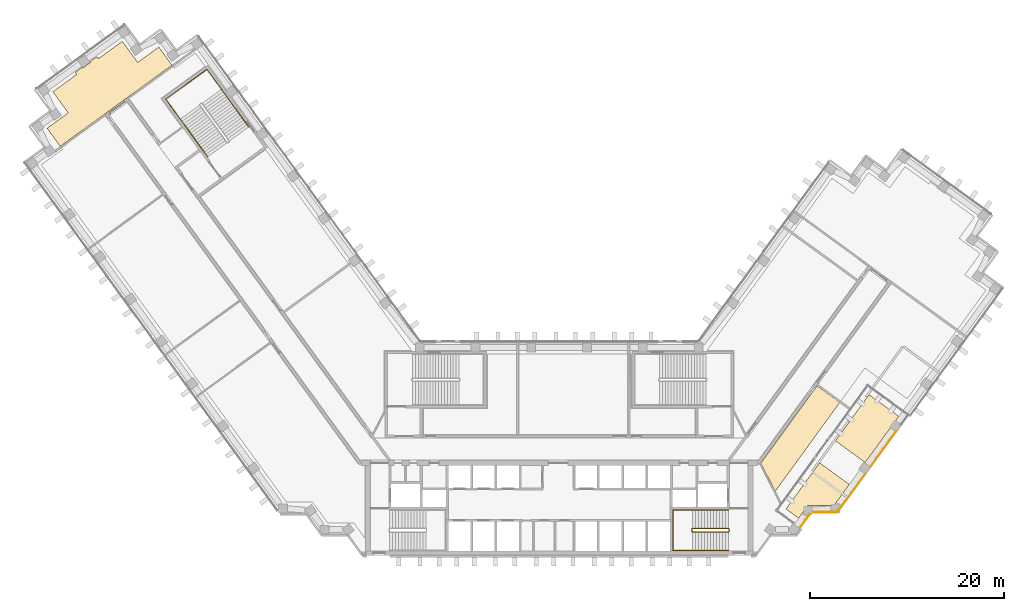
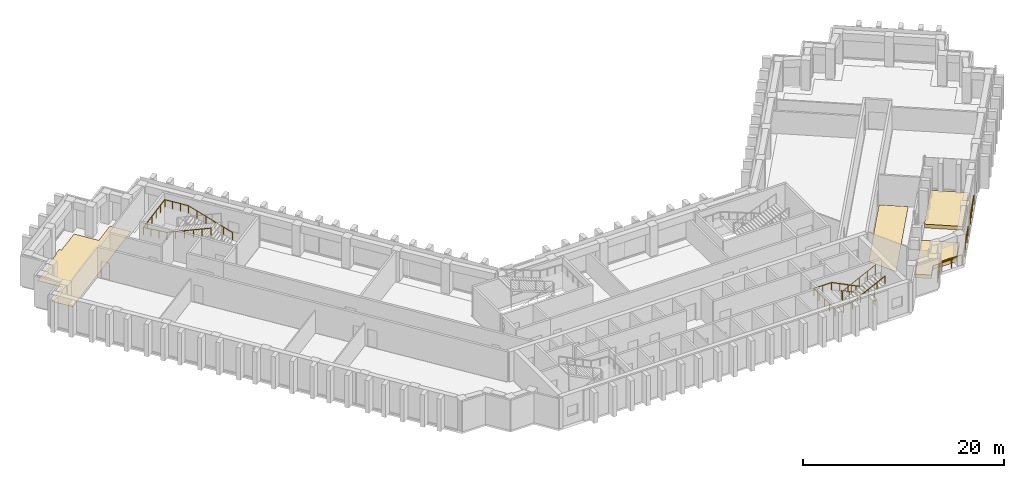
# One storey, part 13 of 14: 7 railings, 4 coverings.
"""IFC4 building model written with IfcOpenShell, lengths in metres."""

import ifcopenshell
import ifcopenshell.guid

model = None  # the IFC model being written
_history = None  # IfcOwnerHistory: only IFC2X3 demands one
_inside = {}  # id of a spatial element -> (the spatial element, [elements in it])
_under = {}  # id of a project, library or spatial element -> (it, [spatial elements below it])
_declared = {}  # id of a project -> (the project, [libraries it declares])
_typed = {}  # id of a type object -> (the type object, [elements of that type])
_made_of = {}  # id of a material, layer set ... -> (it, [elements and type objects made of it])


def new_model(schema):
    """Start an empty IFC model of exactly this schema.

    Asked for "IFC4X3", IfcOpenShell would pick the latest addendum, in which some entities
    have other attributes; the version numbers below select the first issue.
    IFC2X3 requires an IfcOwnerHistory on every rooted entity: one is made here for all.
    """
    global model, _history
    if schema == "IFC4X3":
        model = ifcopenshell.file(schema_version=(4, 3, 0, 0))
    else:
        model = ifcopenshell.file(schema=schema)
    _inside.clear()
    _under.clear()
    _declared.clear()
    _typed.clear()
    _made_of.clear()
    _history = None
    if model.schema == "IFC2X3":
        org = make("IfcOrganization", Name="unknown")
        user = make(
            "IfcPersonAndOrganization",
            ThePerson=make("IfcPerson", FamilyName="unknown"),
            TheOrganization=org,
        )
        app = make(
            "IfcApplication",
            ApplicationDeveloper=org,
            Version="unknown",
            ApplicationFullName="unknown",
            ApplicationIdentifier="unknown",
        )
        _history = make(
            "IfcOwnerHistory",
            OwningUser=user,
            OwningApplication=app,
            ChangeAction="ADDED",
            CreationDate=0,
        )
    return model


def make(cls, **values):
    """One entity of the class cls with the attributes given. An attribute that is None is left unset."""
    return model.create_entity(
        cls, **{name: value for name, value in values.items() if value is not None}
    )


def rooted(cls, **values):
    """An entity with a GlobalId (a new one), such as an element, a storey or a relation."""
    return make(cls, GlobalId=ifcopenshell.guid.new(), OwnerHistory=_history, **values)


def si_unit(unit_type, name, prefix=None):
    """IfcSIUnit, for example si_unit("LENGTHUNIT", "METRE", prefix="MILLI")."""
    return make("IfcSIUnit", UnitType=unit_type, Prefix=prefix, Name=name)


def assignment(units):
    """IfcUnitAssignment: the units of a project."""
    return None if units is None else make("IfcUnitAssignment", Units=units)


def point(xyz):
    """IfcCartesianPoint."""
    return None if xyz is None else make("IfcCartesianPoint", Coordinates=xyz)


def direction(xyz):
    """IfcDirection."""
    return None if xyz is None else make("IfcDirection", DirectionRatios=xyz)


def frame(location, z_axis=None, x_axis=None):
    """IfcAxis2Placement3D, a coordinate frame: its origin and axes. An axis left out is left unset."""
    return make(
        "IfcAxis2Placement3D",
        Location=point(location),
        Axis=direction(z_axis),
        RefDirection=direction(x_axis),
    )


def frame_2d(location, x_axis=None):
    """IfcAxis2Placement2D, a coordinate frame in the plane: its origin and x axis."""
    return make(
        "IfcAxis2Placement2D", Location=point(location), RefDirection=direction(x_axis)
    )


def origin():
    """The frame at (0, 0, 0) with its axes left unset."""
    return frame((0.0, 0.0, 0.0))


def origin_2d():
    """The frame at (0, 0) in the plane with its x axis left unset."""
    return frame_2d((0.0, 0.0))


def place(relative_to, where):
    """IfcLocalPlacement: puts the frame where relative to a parent placement (None: the world)."""
    return make(
        "IfcLocalPlacement", PlacementRelTo=relative_to, RelativePlacement=where
    )


def context(
    kind, dimensions, precision=None, world=None, true_north=None, identifier=None
):
    """IfcGeometricRepresentationContext, for example the 3D "Model" context."""
    return make(
        "IfcGeometricRepresentationContext",
        ContextIdentifier=identifier,
        ContextType=kind,
        CoordinateSpaceDimension=dimensions,
        Precision=precision,
        WorldCoordinateSystem=world,
        TrueNorth=true_north,
    )


def subcontext(parent, identifier, kind, view, scale=None):
    """IfcGeometricRepresentationSubContext, for example "Body" below "Model"."""
    return make(
        "IfcGeometricRepresentationSubContext",
        ContextIdentifier=identifier,
        ContextType=kind,
        ParentContext=parent,
        TargetScale=scale,
        TargetView=view,
    )


def project(units=None, contexts=None):
    """IfcProject with its units and contexts."""
    return rooted(
        "IfcProject",
        Name="project",
        RepresentationContexts=contexts,
        UnitsInContext=assignment(units),
    )


def spatial(cls, under=None, at=None, **own):
    """A site, building, storey or space (cls), placed at a placement, below another one or the project."""
    s = rooted(cls, ObjectPlacement=at, **own)
    if under is not None:
        _under.setdefault(under.id(), (under, []))[1].append(s)
    return s


def polyline(points):
    """IfcPolyline through the points."""
    return make("IfcPolyline", Points=[point(p) for p in points])


def profile(cls, at=None, kind="AREA", **sizes):
    """A parametric profile (cls). Its sizes go by their IFC names, for example OverallWidth=200.0."""
    return make(cls, ProfileType=kind, Position=at, **sizes)


def circle(**sizes):
    """IfcCircleProfileDef."""
    return profile("IfcCircleProfileDef", **sizes)


def outline(outer, holes=None, kind="AREA"):
    """IfcArbitraryClosedProfileDef: a profile drawn as a closed curve; with holes, ...WithVoids."""
    if holes is None:
        return make("IfcArbitraryClosedProfileDef", ProfileType=kind, OuterCurve=outer)
    return make(
        "IfcArbitraryProfileDefWithVoids",
        ProfileType=kind,
        OuterCurve=outer,
        InnerCurves=holes,
    )


def extrude(swept, where, along, depth):
    """IfcExtrudedAreaSolid: the profile swept, set in the frame where, extruded along a direction by depth."""
    return make(
        "IfcExtrudedAreaSolid",
        SweptArea=swept,
        Position=where,
        ExtrudedDirection=direction(along),
        Depth=depth,
    )


def shape(context_of_items, identifier, shape_type, items):
    """IfcShapeRepresentation: the items that make up one representation, for example the "Body"."""
    return make(
        "IfcShapeRepresentation",
        ContextOfItems=context_of_items,
        RepresentationIdentifier=identifier,
        RepresentationType=shape_type,
        Items=items,
    )


def material(Name=None, Category=None):
    """IfcMaterial."""
    return make("IfcMaterial", Name=Name, Category=Category)


def layer(
    of_material, thickness, ventilated=None, Name=None, Category=None, Priority=None
):
    """IfcMaterialLayer: one layer of a wall or slab, of a material (None: an air gap)."""
    return make(
        "IfcMaterialLayer",
        Material=of_material,
        LayerThickness=thickness,
        IsVentilated=ventilated,
        Name=Name,
        Category=Category,
        Priority=Priority,
    )


def layer_set(layers, Name=None):
    """IfcMaterialLayerSet."""
    return make("IfcMaterialLayerSet", MaterialLayers=layers, LayerSetName=Name)


def made_of(thing, what):
    """Note that an element or type object is made of a material, layer set ...; save() writes the relation."""
    if what is not None:
        _made_of.setdefault(what.id(), (what, []))[1].append(thing)
    return thing


def type_object(cls, material=None, **own):
    """A type object (cls), such as IfcWallType, which elements share."""
    return made_of(rooted(cls, **own), material)


def element(
    cls,
    number,
    at=None,
    inside=None,
    cuts=None,
    type_object=None,
    material=None,
    context=None,
    identifier="Body",
    shape_type=None,
    held_by="IfcProductDefinitionShape",
    body=None,
    shapes=None,
    **own,
):
    """One element of the class cls, such as IfcWall. Its Tag is "e" and its number.

    at: its placement. inside: the storey or other place that contains it. cuts: it is an
    opening in that element (IfcRelVoidsElement). A single representation is given by context,
    identifier, shape_type and body (its items); several are given by shapes. held_by: the class
    of the entity that holds the representations. save() writes the other relations.
    """
    e = rooted(cls, Tag="e%d" % number, ObjectPlacement=at, **own)
    if body is not None:
        shapes = [shape(context, identifier, shape_type, body)]
    if shapes is not None:
        e.Representation = make(held_by, Representations=shapes)
    if inside is not None:
        _inside.setdefault(inside.id(), (inside, []))[1].append(e)
    if cuts is not None:
        rooted(
            "IfcRelVoidsElement", RelatingBuildingElement=cuts, RelatedOpeningElement=e
        )
    if type_object is not None:
        _typed.setdefault(type_object.id(), (type_object, []))[1].append(e)
    return made_of(e, material)


def aggregate(whole, parts):
    """IfcRelAggregates: a whole, such as a stair, and the parts it consists of."""
    return rooted("IfcRelAggregates", RelatingObject=whole, RelatedObjects=parts)


def save(model, path):
    """Write the relations noted so far, then the file.

    IfcRelAggregates (storeys below a building ...), IfcRelContainedInSpatialStructure (elements
    in a storey), IfcRelDefinesByType, IfcRelAssociatesMaterial and IfcRelDeclares: one each for
    every whole, place, type object, material and project.
    """
    for whole, parts in _under.values():
        aggregate(whole, parts)
    for where, things in _inside.values():
        rooted(
            "IfcRelContainedInSpatialStructure",
            RelatedElements=things,
            RelatingStructure=where,
        )
    for kind, things in _typed.values():
        rooted("IfcRelDefinesByType", RelatedObjects=things, RelatingType=kind)
    for what, things in _made_of.values():
        rooted("IfcRelAssociatesMaterial", RelatedObjects=things, RelatingMaterial=what)
    for by, libraries in _declared.values():
        rooted("IfcRelDeclares", RelatingContext=by, RelatedDefinitions=libraries)
    model.write(path)


model = new_model("IFC4")

# Units and contexts
model_context = context("Model", 3, precision=1e-05, world=origin(), true_north=direction((0.0, 1.0)))
body_context = subcontext(model_context, "Body", "Model", "MODEL_VIEW")
ifc_project = project(units=[si_unit("LENGTHUNIT", "METRE"), si_unit("AREAUNIT", "SQUARE_METRE"), si_unit("VOLUMEUNIT", "CUBIC_METRE"), si_unit("PLANEANGLEUNIT", "RADIAN"), si_unit("MASSUNIT", "GRAM", prefix="KILO")], contexts=[model_context])

# Site, building, storey
site_placement = place(None, origin())
site = spatial("IfcSite", under=ifc_project, at=site_placement, CompositionType="ELEMENT")
building_placement = place(site_placement, origin())
building = spatial("IfcBuilding", under=site, at=building_placement, Name="Quipu Civic Tower", CompositionType="ELEMENT")
storey_placement = place(building_placement, frame((0.0, 0.0, 105.0)))
storey = spatial("IfcBuildingStorey", under=building, at=storey_placement, Name="L24", CompositionType="ELEMENT", Elevation=105.0)

# Coverings
ifc_material_1 = material(Name="Carpet tile on raised access floor")
ifc_layer_1 = layer(ifc_material_1, 0.02001953125)
ifc_layer_set_1 = layer_set([ifc_layer_1], Name="Carpet tile on raised access floor")
covering_type_1 = type_object("IfcCoveringType", Name="Carpet tile floor finish 20", PredefinedType="FLOORING", material=ifc_layer_set_1)
covering_1_placement = place(storey_placement, origin())
element("IfcCovering", 1, at=covering_1_placement, inside=storey, type_object=covering_type_1, Name="Carpet tile floor finish 20", PredefinedType="FLOORING", context=body_context, shape_type="SweptSolid", body=[
    extrude(outline(polyline([(-52.883056640625, 33.12890625), (-50.698974609375, 34.717041015625), (-52.284912109375, 36.90087890625), (-49.826904296875, 38.68603515625), (-49.97900390625, 38.89697265625), (-49.259033203125, 39.4208984375), (-49.236083984375, 39.388916015625), (-49.23291015625, 39.385009765625), (-49.22900390625, 39.382080078125), (-49.22607421875, 39.3779296875), (-49.220947265625, 39.3759765625), (-49.217041015625, 39.373046875), (-49.212890625, 39.37109375), (-49.2080078125, 39.3701171875), (-49.202880859375, 39.368896484375), (-49.197998046875, 39.367919921875), (-49.193115234375, 39.367919921875), (-49.18896484375, 39.368896484375), (-49.18408203125, 39.3701171875), (-49.178955078125, 39.37109375), (-49.174072265625, 39.373046875), (-49.169921875, 39.375), (-49.166015625, 39.3779296875), (-48.43798828125, 39.906982421875), (-48.43408203125, 39.909912109375), (-48.430908203125, 39.9130859375), (-48.427001953125, 39.9169921875), (-48.425048828125, 39.9208984375), (-48.422119140625, 39.926025390625), (-48.419921875, 39.929931640625), (-48.4189453125, 39.93505859375), (-48.41796875, 39.93994140625), (-48.4169921875, 39.944091796875), (-48.4169921875, 39.948974609375), (-48.41796875, 39.9541015625), (-48.4189453125, 39.958984375), (-48.419921875, 39.964111328125), (-48.422119140625, 39.968017578125), (-48.424072265625, 39.972900390625), (-48.427001953125, 39.97705078125), (-48.449951171875, 40.008056640625), (-47.72900390625, 40.531982421875), (-47.574951171875, 40.322021484375), (-45.116943359375, 42.10791015625), (-43.531982421875, 39.925048828125), (-41.346923828125, 41.510986328125), (-39.989013671875, 39.64208984375), (-51.52587890625, 31.260009765625), (-52.883056640625, 33.12890625)])), origin(), (0.0, 0.0, 1.0), 0.02001953125),
])
covering_2_placement = place(storey_placement, origin())
element("IfcCovering", 2, at=covering_2_placement, inside=storey, type_object=covering_type_1, Name="Carpet tile floor finish 20", PredefinedType="FLOORING", context=body_context, shape_type="SweptSolid", body=[
    extrude(outline(polyline([(20.821044921875, -1.4560546875), (26.6220703125, 6.529052734375), (28.97705078125, 4.819091796875), (22.303955078125, -4.365966796875), (20.821044921875, -1.4560546875)])), origin(), (0.0, 0.0, 1.0), 0.02001953125),
])
ifc_material_2 = material(Name="Planting soil on drainage board")
ifc_layer_2 = layer(ifc_material_2, 0.449951171875)
ifc_layer_set_2 = layer_set([ifc_layer_2], Name="Planting soil on drainage board")
covering_type_2 = type_object("IfcCoveringType", Name="Planted terrace build-up", PredefinedType="FLOORING", material=ifc_layer_set_2)
covering_3_placement = place(storey_placement, origin())
element("IfcCovering", 3, at=covering_3_placement, inside=storey, type_object=covering_type_2, Name="Planted terrace L24 bed 1", PredefinedType="FLOORING", context=body_context, shape_type="SweptSolid", body=[
    extrude(outline(polyline([(26.882080078125, -1.415771484375), (29.956298828125, -3.6494140625), (28.37109375, -5.831298828125), (25.671142578125, -5.831298828125), (24.721435546875, -7.138427734375), (23.414306640625, -6.18896484375), (26.882080078125, -1.415771484375)])), origin(), (0.0, 0.0, 1.0), 0.449951171875),
])
covering_4_placement = place(storey_placement, origin())
element("IfcCovering", 4, at=covering_4_placement, inside=storey, type_object=covering_type_2, Name="Planted terrace L24 bed 2", PredefinedType="FLOORING", context=body_context, shape_type="SweptSolid", body=[
    extrude(outline(polyline([(31.99609375, 5.622802734375), (35.0703125, 3.38916015625), (31.602294921875, -1.38427734375), (28.528076171875, 0.849609375), (31.99609375, 5.622802734375)])), origin(), (0.0, 0.0, 1.0), 0.449951171875),
])

# Railings
ifc_material_3 = material(Name="Stainless steel", Category="steel")
railing_type_1 = type_object("IfcRailingType", Name="Stair guard 1100", PredefinedType="GUARDRAIL", material=ifc_material_3)
railing_1_placement = place(storey_placement, frame((17.5, -8.199951171875, 0.15380859375)))
element("IfcRailing", 5, at=railing_1_placement, inside=storey, type_object=railing_type_1, Name="Stair 2 guard", PredefinedType="GUARDRAIL", context=body_context, shape_type="SweptSolid", body=[
    extrude(circle(Radius=0.02392578125, at=origin_2d()), frame((0.0, 0.0, 1.076171875), z_axis=(-0.895751851347, 0.0, 0.444554407028), x_axis=(0.0, -1.0, 0.0)), (0.0, 0.0, 1.0), 4.15283203125),
    extrude(circle(Radius=0.02392578125, at=origin_2d()), frame((-3.719970703125, 0.0, 2.92236328125), z_axis=(-0.707106781187, -0.707106781187, 0.0), x_axis=(0.707106781187, -0.707106781187, 0.0)), (0.0, 0.0, 1.0), 0.07080078125),
    extrude(circle(Radius=0.02392578125, at=origin_2d()), frame((-3.77001953125, -0.050048828125, 2.92236328125), z_axis=(0.0, -1.0, 0.0), x_axis=(1.0, 0.0, 0.0)), (0.0, 0.0, 1.0), 0.25),
    extrude(circle(Radius=0.02392578125, at=origin_2d()), frame((-3.77001953125, -0.300048828125, 2.92236328125), z_axis=(0.295599637079, -0.295599637079, 0.908428152975), x_axis=(0.707106781187, 0.707106781187, 0.0)), (0.0, 0.0, 1.0), 0.16943359375),
    extrude(circle(Radius=0.02392578125, at=origin_2d()), frame((-3.719970703125, -0.35009765625, 3.076171875), z_axis=(0.895751851347, 0.0, 0.444554407028), x_axis=(0.0, 1.0, 0.0)), (0.0, 0.0, 1.0), 4.15283203125),
    extrude(circle(Radius=0.02392578125, at=origin_2d()), frame((0.0, -0.35009765625, 4.92236328125), z_axis=(0.012476181752, 0.074796231092, -0.997120789425), x_axis=(-0.986372223864, 0.164529134168, 0.0)), (0.0, 0.0, 1.0), 4.011474609375),
    extrude(circle(Radius=0.02392578125, at=origin_2d()), frame((0.050048828125, -0.050048828125, 0.92236328125), z_axis=(0.0, -1.0, 0.0), x_axis=(1.0, 0.0, 0.0)), (0.0, 0.0, 1.0), 0.25),
    extrude(circle(Radius=0.02099609375, at=origin_2d()), origin(), (0.0, 0.0, 1.0), 1.052001953125),
    extrude(circle(Radius=0.02099609375, at=origin_2d()), frame((-0.929931640625, 0.0, 0.46142578125)), (0.0, 0.0, 1.0), 1.052001953125),
    extrude(circle(Radius=0.02099609375, at=origin_2d()), frame((-1.85986328125, 0.0, 0.923095703125)), (0.0, 0.0, 1.0), 1.052001953125),
    extrude(circle(Radius=0.02099609375, at=origin_2d()), frame((-2.7900390625, 0.0, 1.384765625)), (0.0, 0.0, 1.0), 1.052001953125),
    extrude(circle(Radius=0.02099609375, at=origin_2d()), frame((-3.719970703125, 0.0, 1.84619140625)), (0.0, 0.0, 1.0), 1.052001953125),
    extrude(circle(Radius=0.02099609375, at=origin_2d()), frame((-3.77001953125, -0.050048828125, 1.84619140625)), (0.0, 0.0, 1.0), 1.052001953125),
    extrude(circle(Radius=0.02099609375, at=origin_2d()), frame((-3.77001953125, -0.300048828125, 1.84619140625)), (0.0, 0.0, 1.0), 1.052001953125),
    extrude(circle(Radius=0.02099609375, at=origin_2d()), frame((-3.719970703125, -0.35009765625, 2.0)), (0.0, 0.0, 1.0), 1.052001953125),
    extrude(circle(Radius=0.02099609375, at=origin_2d()), frame((-2.7900390625, -0.35009765625, 2.46142578125)), (0.0, 0.0, 1.0), 1.052001953125),
    extrude(circle(Radius=0.02099609375, at=origin_2d()), frame((-1.85986328125, -0.35009765625, 2.923095703125)), (0.0, 0.0, 1.0), 1.052001953125),
    extrude(circle(Radius=0.02099609375, at=origin_2d()), frame((-0.929931640625, -0.35009765625, 3.384765625)), (0.0, 0.0, 1.0), 1.052001953125),
    extrude(circle(Radius=0.02099609375, at=origin_2d()), frame((0.0, -0.35009765625, 3.84619140625)), (0.0, 0.0, 1.0), 1.052001953125),
    extrude(circle(Radius=0.02099609375, at=origin_2d()), frame((0.012451171875, -0.275146484375, 2.84619140625)), (0.0, 0.0, 1.0), 1.052001953125),
    extrude(circle(Radius=0.02099609375, at=origin_2d()), frame((0.02490234375, -0.2001953125, 1.84619140625)), (0.0, 0.0, 1.0), 1.052001953125),
    extrude(circle(Radius=0.02099609375, at=origin_2d()), frame((0.03759765625, -0.125, 0.84619140625)), (0.0, 0.0, 1.0), 1.052001953125),
    extrude(circle(Radius=0.02099609375, at=origin_2d()), frame((0.050048828125, -0.050048828125, -0.15380859375)), (0.0, 0.0, 1.0), 1.052001953125),
    extrude(circle(Radius=0.02099609375, at=origin_2d()), frame((0.050048828125, -0.300048828125, -0.15380859375)), (0.0, 0.0, 1.0), 1.052001953125),
])
ifc_material_4 = material(Name="Stainless steel", Category="steel")
railing_type_2 = type_object("IfcRailingType", Name="Stair handrail", PredefinedType="HANDRAIL", material=ifc_material_4)
railing_2_placement = place(storey_placement, frame((17.5, -6.300048828125, 0.15380859375)))
element("IfcRailing", 6, at=railing_2_placement, inside=storey, type_object=railing_type_2, Name="Stair 2 handrail", PredefinedType="HANDRAIL", context=body_context, shape_type="SweptSolid", body=[
    extrude(circle(Radius=0.02392578125, at=origin_2d()), frame((0.0, 0.0, 0.8759765625), z_axis=(-0.895751851347, 0.0, 0.444554407028), x_axis=(0.0, -1.0, 0.0)), (0.0, 0.0, 1.0), 4.15283203125),
    extrude(circle(Radius=0.02392578125, at=origin_2d()), frame((-3.719970703125, 0.0, 2.72216796875), z_axis=(-1.0, 0.0, 0.0), x_axis=(0.0, -1.0, 0.0)), (0.0, 0.0, 1.0), 2.030029296875),
    extrude(circle(Radius=0.02392578125, at=origin_2d()), frame((-5.75, 0.0, 2.72216796875), z_axis=(0.0, -1.0, 0.0), x_axis=(1.0, 0.0, 0.0)), (0.0, 0.0, 1.0), 4.14990234375),
    extrude(circle(Radius=0.02392578125, at=origin_2d()), frame((-5.75, -4.14990234375, 2.72216796875), z_axis=(0.997142003663, 0.0, 0.075550145798), x_axis=(0.0, 1.0, 0.0)), (0.0, 0.0, 1.0), 2.035888671875),
    extrude(circle(Radius=0.02392578125, at=origin_2d()), frame((-3.719970703125, -4.14990234375, 2.8759765625), z_axis=(0.895751851347, 0.0, 0.444554407028), x_axis=(0.0, 1.0, 0.0)), (0.0, 0.0, 1.0), 4.15283203125),
    extrude(circle(Radius=0.02099609375, at=origin_2d()), origin(), (0.0, 0.0, 1.0), 0.851806640625),
    extrude(circle(Radius=0.02099609375, at=origin_2d()), frame((-0.929931640625, 0.0, 0.46142578125)), (0.0, 0.0, 1.0), 0.851806640625),
    extrude(circle(Radius=0.02099609375, at=origin_2d()), frame((-1.85986328125, 0.0, 0.923095703125)), (0.0, 0.0, 1.0), 0.851806640625),
    extrude(circle(Radius=0.02099609375, at=origin_2d()), frame((-2.7900390625, 0.0, 1.384765625)), (0.0, 0.0, 1.0), 0.851806640625),
    extrude(circle(Radius=0.02099609375, at=origin_2d()), frame((-3.719970703125, 0.0, 1.84619140625)), (0.0, 0.0, 1.0), 0.851806640625),
    extrude(circle(Radius=0.02099609375, at=origin_2d()), frame((-4.73486328125, 0.0, 1.84619140625)), (0.0, 0.0, 1.0), 0.851806640625),
    extrude(circle(Radius=0.02099609375, at=origin_2d()), frame((-5.75, 0.0, 1.84619140625)), (0.0, 0.0, 1.0), 0.851806640625),
    extrude(circle(Radius=0.02099609375, at=origin_2d()), frame((-5.75, -1.03759765625, 1.84619140625)), (0.0, 0.0, 1.0), 0.851806640625),
    extrude(circle(Radius=0.02099609375, at=origin_2d()), frame((-5.75, -2.074951171875, 1.84619140625)), (0.0, 0.0, 1.0), 0.851806640625),
    extrude(circle(Radius=0.02099609375, at=origin_2d()), frame((-5.75, -3.1123046875, 1.84619140625)), (0.0, 0.0, 1.0), 0.851806640625),
    extrude(circle(Radius=0.02099609375, at=origin_2d()), frame((-5.75, -4.14990234375, 1.84619140625)), (0.0, 0.0, 1.0), 0.851806640625),
    extrude(circle(Radius=0.02099609375, at=origin_2d()), frame((-4.73486328125, -4.14990234375, 1.923095703125)), (0.0, 0.0, 1.0), 0.851806640625),
    extrude(circle(Radius=0.02099609375, at=origin_2d()), frame((-3.719970703125, -4.14990234375, 2.0)), (0.0, 0.0, 1.0), 0.851806640625),
    extrude(circle(Radius=0.02099609375, at=origin_2d()), frame((-2.7900390625, -4.14990234375, 2.46142578125)), (0.0, 0.0, 1.0), 0.851806640625),
    extrude(circle(Radius=0.02099609375, at=origin_2d()), frame((-1.85986328125, -4.14990234375, 2.923095703125)), (0.0, 0.0, 1.0), 0.851806640625),
    extrude(circle(Radius=0.02099609375, at=origin_2d()), frame((-0.929931640625, -4.14990234375, 3.384765625)), (0.0, 0.0, 1.0), 0.851806640625),
    extrude(circle(Radius=0.02099609375, at=origin_2d()), frame((0.0, -4.14990234375, 3.84619140625)), (0.0, 0.0, 1.0), 0.851806640625),
])
railing_3_placement = place(storey_placement, frame((-32.056396484375, 33.266845703125, 0.11767578125)))
element("IfcRailing", 7, at=railing_3_placement, inside=storey, type_object=railing_type_2, Name="Stair 6 handrail", PredefinedType="HANDRAIL", context=body_context, shape_type="SweptSolid", body=[
    extrude(circle(Radius=0.02392578125, at=origin_2d()), frame((0.0, 0.0, 0.8759765625), z_axis=(-0.54720100349, 0.753182689643, 0.365084781664), x_axis=(-0.809026317077, -0.587772420479, 0.0)), (0.0, 0.0, 1.0), 5.15576171875),
    extrude(circle(Radius=0.02392578125, at=origin_2d()), frame((-2.8212890625, 3.88330078125, 2.75830078125), z_axis=(-0.587767432704, 0.809029940764, 0.0), x_axis=(-0.809029940764, -0.587767432704, 0.0)), (0.0, 0.0, 1.0), 2.550048828125),
    extrude(circle(Radius=0.02392578125, at=origin_2d()), frame((-4.320068359375, 5.9462890625, 2.75830078125), z_axis=(-0.809009483706, -0.587795589702, 0.0), x_axis=(0.587795589702, -0.809009483706, 0.0)), (0.0, 0.0, 1.0), 5.25),
    extrude(circle(Radius=0.02392578125, at=origin_2d()), frame((-8.5673828125, 2.8603515625, 2.75830078125), z_axis=(0.587142558822, -0.808169835812, 0.046099155132), x_axis=(0.809029940764, 0.587767432704, 0.0)), (0.0, 0.0, 1.0), 2.552734375),
    extrude(circle(Radius=0.02392578125, at=origin_2d()), frame((-7.068603515625, 0.79736328125, 2.8759765625), z_axis=(0.54720100349, -0.753182689643, 0.365084781664), x_axis=(0.809026317077, 0.587772420479, 0.0)), (0.0, 0.0, 1.0), 5.15576171875),
    extrude(circle(Radius=0.02099609375, at=origin_2d()), origin(), (0.0, 0.0, 1.0), 0.851806640625),
    extrude(circle(Radius=0.02099609375, at=origin_2d()), frame((-0.564208984375, 0.776611328125, 0.37646484375)), (0.0, 0.0, 1.0), 0.851806640625),
    extrude(circle(Radius=0.02099609375, at=origin_2d()), frame((-1.12841796875, 1.55322265625, 0.7529296875)), (0.0, 0.0, 1.0), 0.851806640625),
    extrude(circle(Radius=0.02099609375, at=origin_2d()), frame((-1.69287109375, 2.330078125, 1.12939453125)), (0.0, 0.0, 1.0), 0.851806640625),
    extrude(circle(Radius=0.02099609375, at=origin_2d()), frame((-2.257080078125, 3.106689453125, 1.505859375)), (0.0, 0.0, 1.0), 0.851806640625),
    extrude(circle(Radius=0.02099609375, at=origin_2d()), frame((-2.8212890625, 3.88330078125, 1.88232421875)), (0.0, 0.0, 1.0), 0.851806640625),
    extrude(circle(Radius=0.02099609375, at=origin_2d()), frame((-3.32080078125, 4.571044921875, 1.88232421875)), (0.0, 0.0, 1.0), 0.851806640625),
    extrude(circle(Radius=0.02099609375, at=origin_2d()), frame((-3.820556640625, 5.258544921875, 1.88232421875)), (0.0, 0.0, 1.0), 0.851806640625),
    extrude(circle(Radius=0.02099609375, at=origin_2d()), frame((-4.320068359375, 5.9462890625, 1.88232421875)), (0.0, 0.0, 1.0), 0.851806640625),
    extrude(circle(Radius=0.02099609375, at=origin_2d()), frame((-5.16943359375, 5.3291015625, 1.88232421875)), (0.0, 0.0, 1.0), 0.851806640625),
    extrude(circle(Radius=0.02099609375, at=origin_2d()), frame((-6.01904296875, 4.7119140625, 1.88232421875)), (0.0, 0.0, 1.0), 0.851806640625),
    extrude(circle(Radius=0.02099609375, at=origin_2d()), frame((-6.868408203125, 4.0947265625, 1.88232421875)), (0.0, 0.0, 1.0), 0.851806640625),
    extrude(circle(Radius=0.02099609375, at=origin_2d()), frame((-7.718017578125, 3.4775390625, 1.88232421875)), (0.0, 0.0, 1.0), 0.851806640625),
    extrude(circle(Radius=0.02099609375, at=origin_2d()), frame((-8.5673828125, 2.8603515625, 1.88232421875)), (0.0, 0.0, 1.0), 0.851806640625),
    extrude(circle(Radius=0.02099609375, at=origin_2d()), frame((-8.06787109375, 2.172607421875, 1.921630859375)), (0.0, 0.0, 1.0), 0.851806640625),
    extrude(circle(Radius=0.02099609375, at=origin_2d()), frame((-7.568115234375, 1.485107421875, 1.960693359375)), (0.0, 0.0, 1.0), 0.851806640625),
    extrude(circle(Radius=0.02099609375, at=origin_2d()), frame((-7.068603515625, 0.79736328125, 2.0)), (0.0, 0.0, 1.0), 0.851806640625),
    extrude(circle(Radius=0.02099609375, at=origin_2d()), frame((-6.50439453125, 0.020751953125, 2.37646484375)), (0.0, 0.0, 1.0), 0.851806640625),
    extrude(circle(Radius=0.02099609375, at=origin_2d()), frame((-5.940185546875, -0.755859375, 2.7529296875)), (0.0, 0.0, 1.0), 0.851806640625),
    extrude(circle(Radius=0.02099609375, at=origin_2d()), frame((-5.375732421875, -1.53271484375, 3.12939453125)), (0.0, 0.0, 1.0), 0.851806640625),
    extrude(circle(Radius=0.02099609375, at=origin_2d()), frame((-4.8115234375, -2.309326171875, 3.505859375)), (0.0, 0.0, 1.0), 0.851806640625),
    extrude(circle(Radius=0.02099609375, at=origin_2d()), frame((-4.247314453125, -3.0859375, 3.88232421875)), (0.0, 0.0, 1.0), 0.851806640625),
])
ifc_material_5 = material(Name="Steel S275", Category="steel")
railing_type_3 = type_object("IfcRailingType", Name="Terrace guard G1", PredefinedType="GUARDRAIL", material=ifc_material_5)
railing_4_placement = place(storey_placement, frame((24.9189453125, -8.023681640625, 0.0)))
element("IfcRailing", 8, at=railing_4_placement, inside=storey, type_object=railing_type_3, Name="Terrace guard L24.1", PredefinedType="GUARDRAIL", context=body_context, shape_type="SweptSolid", body=[
    extrude(circle(Radius=0.02490234375, at=origin_2d()), frame((0.0, 0.0, 1.1748046875), z_axis=(0.58781057605, 0.808998594982, 0.0), x_axis=(-0.808998594982, 0.58781057605, 0.0)), (0.0, 0.0, 1.0), 1.608154296875),
    extrude(circle(Radius=0.02490234375, at=origin_2d()), origin(), (0.0, 0.0, 1.0), 1.14990234375),
    extrude(circle(Radius=0.02490234375, at=origin_2d()), frame((0.47265625, 0.650390625, 0.0)), (0.0, 0.0, 1.0), 1.14990234375),
    extrude(circle(Radius=0.02490234375, at=origin_2d()), frame((0.9453125, 1.301025390625, 0.0)), (0.0, 0.0, 1.0), 1.14990234375),
])
railing_5_placement = place(storey_placement, frame((26.27880859375, -6.51123046875, 0.0)))
element("IfcRailing", 9, at=railing_5_placement, inside=storey, type_object=railing_type_3, Name="Terrace guard L24.2", PredefinedType="GUARDRAIL", context=body_context, shape_type="SweptSolid", body=[
    extrude(circle(Radius=0.02490234375, at=origin_2d()), frame((0.0, 0.0, 1.1748046875), z_axis=(1.0, 0.0, 0.0), x_axis=(0.0, 1.0, 0.0)), (0.0, 0.0, 1.0), 2.300048828125),
    extrude(circle(Radius=0.02490234375, at=origin_2d()), origin(), (0.0, 0.0, 1.0), 1.14990234375),
    extrude(circle(Radius=0.02490234375, at=origin_2d()), frame((1.14990234375, 0.0, 0.0)), (0.0, 0.0, 1.0), 1.14990234375),
    extrude(circle(Radius=0.02490234375, at=origin_2d()), frame((2.300048828125, 0.0, 0.0)), (0.0, 0.0, 1.0), 1.14990234375),
])
railing_6_placement = place(storey_placement, frame((28.79931640625, -6.39892578125, 0.0)))
element("IfcRailing", 10, at=railing_6_placement, inside=storey, type_object=railing_type_3, Name="Terrace guard L24.3", PredefinedType="GUARDRAIL", context=body_context, shape_type="SweptSolid", body=[
    extrude(circle(Radius=0.02490234375, at=origin_2d()), frame((0.0, 0.0, 1.1748046875), z_axis=(0.58779267372, 0.80901160234, 0.0), x_axis=(-0.80901160234, 0.58779267372, 0.0)), (0.0, 0.0, 1.0), 4.75),
    extrude(circle(Radius=0.02490234375, at=origin_2d()), origin(), (0.0, 0.0, 1.0), 1.14990234375),
    extrude(circle(Radius=0.02490234375, at=origin_2d()), frame((0.697998046875, 0.960693359375, 0.0)), (0.0, 0.0, 1.0), 1.14990234375),
    extrude(circle(Radius=0.02490234375, at=origin_2d()), frame((1.39599609375, 1.92138671875, 0.0)), (0.0, 0.0, 1.0), 1.14990234375),
    extrude(circle(Radius=0.02490234375, at=origin_2d()), frame((2.093994140625, 2.882080078125, 0.0)), (0.0, 0.0, 1.0), 1.14990234375),
    extrude(circle(Radius=0.02490234375, at=origin_2d()), frame((2.7919921875, 3.8427734375, 0.0)), (0.0, 0.0, 1.0), 1.14990234375),
])
railing_7_placement = place(storey_placement, frame((32.120361328125, -1.827880859375, 0.0)))
element("IfcRailing", 11, at=railing_7_placement, inside=storey, type_object=railing_type_3, Name="Terrace guard L24.4", PredefinedType="GUARDRAIL", context=body_context, shape_type="SweptSolid", body=[
    extrude(circle(Radius=0.02490234375, at=origin_2d()), frame((0.0, 0.0, 1.1748046875), z_axis=(0.587803872688, 0.809003465539, 0.0), x_axis=(-0.809003465539, 0.587803872688, 0.0)), (0.0, 0.0, 1.0), 4.499755859375),
    extrude(circle(Radius=0.02490234375, at=origin_2d()), origin(), (0.0, 0.0, 1.0), 1.14990234375),
    extrude(circle(Radius=0.02490234375, at=origin_2d()), frame((0.6611328125, 0.91015625, 0.0)), (0.0, 0.0, 1.0), 1.14990234375),
    extrude(circle(Radius=0.02490234375, at=origin_2d()), frame((1.322509765625, 1.8203125, 0.0)), (0.0, 0.0, 1.0), 1.14990234375),
    extrude(circle(Radius=0.02490234375, at=origin_2d()), frame((1.98388671875, 2.730224609375, 0.0)), (0.0, 0.0, 1.0), 1.14990234375),
    extrude(circle(Radius=0.02490234375, at=origin_2d()), frame((2.64501953125, 3.640380859375, 0.0)), (0.0, 0.0, 1.0), 1.14990234375),
])

save(model, "model.ifc")
